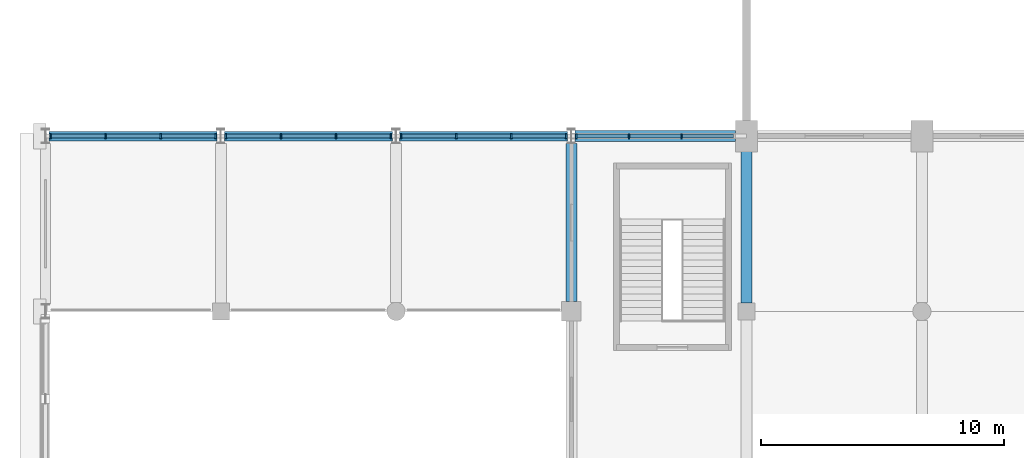
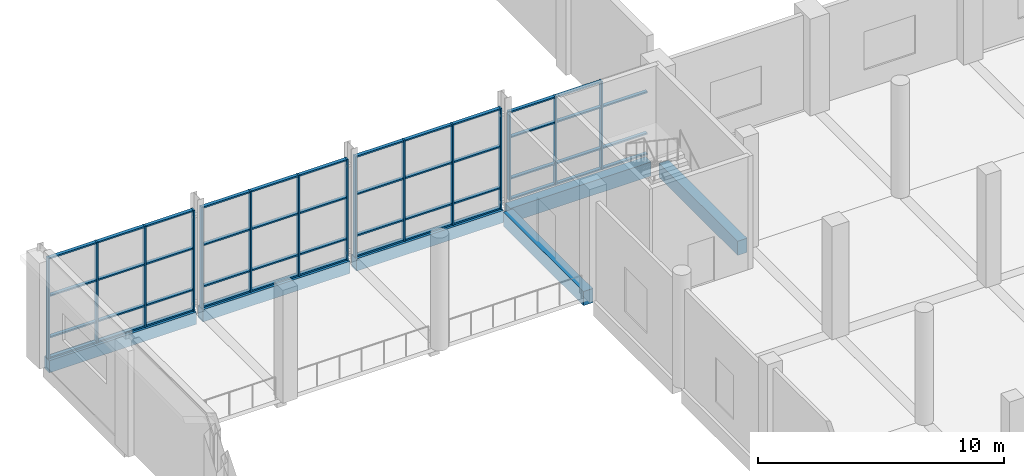
# One storey, part 21 of 80: 62 members, 6 beams, 4 elements without a shape of their own.
"""IFC4 building model written with IfcOpenShell, lengths in metres."""

from ifc_helpers import new_model, si_unit, direction, frame, origin, origin_2d, place, context, subcontext, project, spatial, rectangle, extrude, material, material_profile, profile_set, type_object, element, aggregate, save


model = new_model("IFC4")

# Units and contexts
model_context = context("Model", 3, precision=1e-05, world=origin(), true_north=direction((0.0, 1.0)))
body_context = subcontext(model_context, "Body", "Model", "MODEL_VIEW")
ifc_project = project(units=[si_unit("LENGTHUNIT", "METRE"), si_unit("AREAUNIT", "SQUARE_METRE"), si_unit("VOLUMEUNIT", "CUBIC_METRE"), si_unit("PLANEANGLEUNIT", "RADIAN"), si_unit("MASSUNIT", "GRAM", prefix="KILO")], contexts=[model_context])

# Site, building, storey
site_placement = place(None, origin())
site = spatial("IfcSite", under=ifc_project, at=site_placement, CompositionType="ELEMENT")
building_placement = place(site_placement, origin())
building = spatial("IfcBuilding", under=site, at=building_placement, Name="Sardonyx Promenade Sports Hall", CompositionType="ELEMENT")
storey_placement = place(building_placement, frame((0.0, 0.0, 5.60009765625)))
storey = spatial("IfcBuildingStorey", under=building, at=storey_placement, Name="L01", CompositionType="ELEMENT", Elevation=5.60009765625)

# Beams
ifc_material_1 = material(Name="Concrete C40/50", Category="concrete")
ifc_material_profile_1 = material_profile(ifc_material_1, rectangle(XDim=0.449951171875, YDim=0.699951171875, at=origin_2d()))
ifc_profile_set_1 = profile_set([ifc_material_profile_1], Name="Concrete C40/50")
beam_type_1 = type_object("IfcBeamType", Name="Bm_Primary_RC700", PredefinedType="BEAM", material=ifc_profile_set_1)
beam_1_placement = place(storey_placement, frame((21.75, 72.0, -0.35009765625), z_axis=(1.0, 0.0, 0.0), x_axis=(0.0, 1.0, 0.0)))
element("IfcBeam", 1, at=beam_1_placement, inside=storey, type_object=beam_type_1, Name="Beam BG01 L01 #266", PredefinedType="BEAM", context=body_context, shape_type="SweptSolid", body=[
    extrude(rectangle(XDim=0.449951171875, YDim=0.699951171875, at=origin_2d()), origin(), (0.0, 0.0, 1.0), 6.60009765625),
])
beam_2_placement = place(storey_placement, frame((21.60009765625, 65.199951171875, -0.35009765625), z_axis=(0.0, 1.0, 0.0), x_axis=(-1.0, 0.0, 0.0)))
element("IfcBeam", 2, at=beam_2_placement, inside=storey, type_object=beam_type_1, Name="Beam BG01 L01 #306", PredefinedType="BEAM", context=body_context, shape_type="SweptSolid", body=[
    extrude(rectangle(XDim=0.449951171875, YDim=0.699951171875, at=origin_2d()), origin(), (0.0, 0.0, 1.0), 6.505126953125),
])
beam_3_placement = place(storey_placement, frame((28.800048828125, 65.14990234375, -0.35009765625), z_axis=(0.0, 1.0, 0.0), x_axis=(-1.0, 0.0, 0.0)))
element("IfcBeam", 3, at=beam_3_placement, inside=storey, type_object=beam_type_1, Name="Beam BG01 L01 #316", PredefinedType="BEAM", context=body_context, shape_type="SweptSolid", body=[
    extrude(rectangle(XDim=0.449951171875, YDim=0.699951171875, at=origin_2d()), origin(), (0.0, 0.0, 1.0), 6.400146484375),
])
ifc_material_2 = material(Name="Concrete C40/50", Category="concrete")
ifc_material_profile_2 = material_profile(ifc_material_2, rectangle(XDim=0.39990234375, YDim=0.60009765625, at=origin_2d()))
ifc_profile_set_2 = profile_set([ifc_material_profile_2], Name="Concrete C40/50")
beam_type_2 = type_object("IfcBeamType", Name="Bm_Spandrel_RC600", PredefinedType="SPANDREL", material=ifc_profile_set_2)
beam_4_placement = place(storey_placement, frame((0.14990234375, 72.0, -0.300048828125), z_axis=(1.0, 0.0, 0.0), x_axis=(0.0, 1.0, 0.0)))
element("IfcBeam", 4, at=beam_4_placement, inside=storey, type_object=beam_type_2, Name="Beam SPB1 L01 #263", PredefinedType="SPANDREL", context=body_context, shape_type="SweptSolid", body=[
    extrude(rectangle(XDim=0.39990234375, YDim=0.60009765625, at=origin_2d()), origin(), (0.0, 0.0, 1.0), 6.900146484375),
])
for number, where, z_axis, x_axis, name in (
    (5, (7.35009765625, 72.0, -0.300048828125), (1.0, 0.0, 0.0), (0.0, 1.0, 0.0), "Beam SPB1 L01 #264"),
    (6, (14.550048828125, 72.0, -0.300048828125), (1.0, 0.0, 0.0), (0.0, 1.0, 0.0), "Beam SPB1 L01 #265"),
):
    element("IfcBeam", number, at=place(storey_placement, frame(where, z_axis=z_axis, x_axis=x_axis)), inside=storey, type_object=beam_type_2, Name=name, PredefinedType="SPANDREL", context=body_context, shape_type="SweptSolid", body=[
        extrude(rectangle(XDim=0.39990234375, YDim=0.60009765625, at=origin_2d()), origin(), (0.0, 0.0, 1.0), 6.89990234375),
    ])

# Curtain wall, members
ifc_material_3 = material(Name="Aluminium 6063-T6", Category="aluminium")
curtain_wall_type = type_object("IfcCurtainWallType", Name="CW_Climb_North_L01", PredefinedType="USERDEFINED", material=ifc_material_3)
curtain_wall_1_placement = place(storey_placement, origin())
curtain_wall_1 = element("IfcCurtainWall", 7, at=curtain_wall_1_placement, inside=storey, type_object=curtain_wall_type, Name="Curtain wall CW19 cw:L01:072", ObjectType="CURTAIN WALL", PredefinedType="USERDEFINED")
ifc_material_4 = material(Name="Aluminium 6063-T6", Category="aluminium")
ifc_material_profile_3 = material_profile(ifc_material_4, rectangle(XDim=0.070068359375, YDim=0.199951171875, at=origin_2d()))
ifc_profile_set_3 = profile_set([ifc_material_profile_3], Name="Aluminium 6063-T6")
member_type_1 = type_object("IfcMemberType", Name="CW_Mull_200", PredefinedType="MULLION", material=ifc_profile_set_3)
member_1_placement = place(storey_placement, frame((0.205078125, 72.0, 0.0), z_axis=(0.0, 0.0, 1.0), x_axis=(1.0, 0.0, 0.0)))
member_1 = element("IfcMember", 8, at=member_1_placement, type_object=member_type_1, Name="Mullion CM03 cw:L01:072 #1", PredefinedType="MULLION", context=body_context, shape_type="SweptSolid", body=[
    extrude(rectangle(XDim=0.070068359375, YDim=0.199951171875, at=origin_2d()), origin(), (0.0, 0.0, 1.0), 5.0),
])
member_2_placement = place(storey_placement, frame((2.46826171875, 72.0, 0.0), z_axis=(0.0, 0.0, 1.0), x_axis=(1.0, 0.0, 0.0)))
member_2 = element("IfcMember", 9, at=member_2_placement, type_object=member_type_1, Name="Mullion CM03 cw:L01:072 #2", PredefinedType="MULLION", context=body_context, shape_type="SweptSolid", body=[
    extrude(rectangle(XDim=0.070068359375, YDim=0.199951171875, at=origin_2d()), origin(), (0.0, 0.0, 1.0), 5.0),
])
member_3_placement = place(storey_placement, frame((4.731689453125, 72.0, 0.0), z_axis=(0.0, 0.0, 1.0), x_axis=(1.0, 0.0, 0.0)))
member_3 = element("IfcMember", 10, at=member_3_placement, type_object=member_type_1, Name="Mullion CM03 cw:L01:072 #3", PredefinedType="MULLION", context=body_context, shape_type="SweptSolid", body=[
    extrude(rectangle(XDim=0.070068359375, YDim=0.199951171875, at=origin_2d()), origin(), (0.0, 0.0, 1.0), 5.0),
])
member_4_placement = place(storey_placement, frame((6.9951171875, 72.0, 0.0), z_axis=(0.0, 0.0, 1.0), x_axis=(1.0, 0.0, 0.0)))
member_4 = element("IfcMember", 11, at=member_4_placement, type_object=member_type_1, Name="Mullion CM03 cw:L01:072 #4", PredefinedType="MULLION", context=body_context, shape_type="SweptSolid", body=[
    extrude(rectangle(XDim=0.070068359375, YDim=0.199951171875, at=origin_2d()), origin(), (0.0, 0.0, 1.0), 5.0),
])

curtain_wall_2_placement = place(storey_placement, origin())
curtain_wall_2 = element("IfcCurtainWall", 12, at=curtain_wall_2_placement, inside=storey, type_object=curtain_wall_type, Name="Curtain wall CW19 cw:L01:073", ObjectType="CURTAIN WALL", PredefinedType="USERDEFINED")
member_5_placement = place(storey_placement, frame((7.405029296875, 72.0, 0.0), z_axis=(0.0, 0.0, 1.0), x_axis=(1.0, 0.0, 0.0)))
member_5 = element("IfcMember", 13, at=member_5_placement, type_object=member_type_1, Name="Mullion CM03 cw:L01:073 #1", PredefinedType="MULLION", context=body_context, shape_type="SweptSolid", body=[
    extrude(rectangle(XDim=0.070068359375, YDim=0.199951171875, at=origin_2d()), origin(), (0.0, 0.0, 1.0), 5.0),
])
member_6_placement = place(storey_placement, frame((9.668212890625, 72.0, 0.0), z_axis=(0.0, 0.0, 1.0), x_axis=(1.0, 0.0, 0.0)))
member_6 = element("IfcMember", 14, at=member_6_placement, type_object=member_type_1, Name="Mullion CM03 cw:L01:073 #2", PredefinedType="MULLION", context=body_context, shape_type="SweptSolid", body=[
    extrude(rectangle(XDim=0.070068359375, YDim=0.199951171875, at=origin_2d()), origin(), (0.0, 0.0, 1.0), 5.0),
])
member_7_placement = place(storey_placement, frame((11.931640625, 72.0, 0.0), z_axis=(0.0, 0.0, 1.0), x_axis=(1.0, 0.0, 0.0)))
member_7 = element("IfcMember", 15, at=member_7_placement, type_object=member_type_1, Name="Mullion CM03 cw:L01:073 #3", PredefinedType="MULLION", context=body_context, shape_type="SweptSolid", body=[
    extrude(rectangle(XDim=0.070068359375, YDim=0.199951171875, at=origin_2d()), origin(), (0.0, 0.0, 1.0), 5.0),
])
member_8_placement = place(storey_placement, frame((14.195068359375, 72.0, 0.0), z_axis=(0.0, 0.0, 1.0), x_axis=(1.0, 0.0, 0.0)))
member_8 = element("IfcMember", 16, at=member_8_placement, type_object=member_type_1, Name="Mullion CM03 cw:L01:073 #4", PredefinedType="MULLION", context=body_context, shape_type="SweptSolid", body=[
    extrude(rectangle(XDim=0.070068359375, YDim=0.199951171875, at=origin_2d()), origin(), (0.0, 0.0, 1.0), 5.0),
])

curtain_wall_3_placement = place(storey_placement, origin())
curtain_wall_3 = element("IfcCurtainWall", 17, at=curtain_wall_3_placement, inside=storey, type_object=curtain_wall_type, Name="Curtain wall CW19 cw:L01:074", ObjectType="CURTAIN WALL", PredefinedType="USERDEFINED")
member_9_placement = place(storey_placement, frame((14.60498046875, 72.0, 0.0), z_axis=(0.0, 0.0, 1.0), x_axis=(1.0, 0.0, 0.0)))
member_9 = element("IfcMember", 18, at=member_9_placement, type_object=member_type_1, Name="Mullion CM03 cw:L01:074 #1", PredefinedType="MULLION", context=body_context, shape_type="SweptSolid", body=[
    extrude(rectangle(XDim=0.070068359375, YDim=0.199951171875, at=origin_2d()), origin(), (0.0, 0.0, 1.0), 5.0),
])
member_10_placement = place(storey_placement, frame((16.868408203125, 72.0, 0.0), z_axis=(0.0, 0.0, 1.0), x_axis=(1.0, 0.0, 0.0)))
member_10 = element("IfcMember", 19, at=member_10_placement, type_object=member_type_1, Name="Mullion CM03 cw:L01:074 #2", PredefinedType="MULLION", context=body_context, shape_type="SweptSolid", body=[
    extrude(rectangle(XDim=0.070068359375, YDim=0.199951171875, at=origin_2d()), origin(), (0.0, 0.0, 1.0), 5.0),
])
member_11_placement = place(storey_placement, frame((19.131591796875, 72.0, 0.0), z_axis=(0.0, 0.0, 1.0), x_axis=(1.0, 0.0, 0.0)))
member_11 = element("IfcMember", 20, at=member_11_placement, type_object=member_type_1, Name="Mullion CM03 cw:L01:074 #3", PredefinedType="MULLION", context=body_context, shape_type="SweptSolid", body=[
    extrude(rectangle(XDim=0.070068359375, YDim=0.199951171875, at=origin_2d()), origin(), (0.0, 0.0, 1.0), 5.0),
])
member_12_placement = place(storey_placement, frame((21.39501953125, 72.0, 0.0), z_axis=(0.0, 0.0, 1.0), x_axis=(1.0, 0.0, 0.0)))
member_12 = element("IfcMember", 21, at=member_12_placement, type_object=member_type_1, Name="Mullion CM03 cw:L01:074 #4", PredefinedType="MULLION", context=body_context, shape_type="SweptSolid", body=[
    extrude(rectangle(XDim=0.070068359375, YDim=0.199951171875, at=origin_2d()), origin(), (0.0, 0.0, 1.0), 5.0),
])

curtain_wall_4_placement = place(storey_placement, origin())
curtain_wall_4 = element("IfcCurtainWall", 22, at=curtain_wall_4_placement, inside=storey, type_object=curtain_wall_type, Name="Curtain wall CW19 cw:L01:075", ObjectType="CURTAIN WALL", PredefinedType="USERDEFINED")
member_13_placement = place(storey_placement, frame((21.804931640625, 72.0, 0.2998046875), z_axis=(0.0, 0.0, 1.0), x_axis=(1.0, 0.0, 0.0)))
member_13 = element("IfcMember", 23, at=member_13_placement, type_object=member_type_1, Name="Mullion CM03 cw:L01:075 #1", PredefinedType="MULLION", context=body_context, shape_type="SweptSolid", body=[
    extrude(rectangle(XDim=0.070068359375, YDim=0.199951171875, at=origin_2d()), origin(), (0.0, 0.0, 1.0), 4.385009765625),
])
member_14_placement = place(storey_placement, frame((23.96826171875, 72.0, 0.2998046875), z_axis=(0.0, 0.0, 1.0), x_axis=(1.0, 0.0, 0.0)))
member_14 = element("IfcMember", 24, at=member_14_placement, type_object=member_type_1, Name="Mullion CM03 cw:L01:075 #2", PredefinedType="MULLION", context=body_context, shape_type="SweptSolid", body=[
    extrude(rectangle(XDim=0.070068359375, YDim=0.199951171875, at=origin_2d()), origin(), (0.0, 0.0, 1.0), 4.385009765625),
])
member_15_placement = place(storey_placement, frame((26.131591796875, 72.0, 0.2998046875), z_axis=(0.0, 0.0, 1.0), x_axis=(1.0, 0.0, 0.0)))
member_15 = element("IfcMember", 25, at=member_15_placement, type_object=member_type_1, Name="Mullion CM03 cw:L01:075 #3", PredefinedType="MULLION", context=body_context, shape_type="SweptSolid", body=[
    extrude(rectangle(XDim=0.070068359375, YDim=0.199951171875, at=origin_2d()), origin(), (0.0, 0.0, 1.0), 4.385009765625),
])

# Member
ifc_material_5 = material(Name="Aluminium 6063-T6", Category="aluminium")
ifc_material_profile_4 = material_profile(ifc_material_5, rectangle(XDim=0.070068359375, YDim=0.159912109375, at=origin_2d()))
ifc_profile_set_4 = profile_set([ifc_material_profile_4], Name="Aluminium 6063-T6")
member_type_2 = type_object("IfcMemberType", Name="CW_Tran_160", PredefinedType="USERDEFINED", material=ifc_profile_set_4)
member_16_placement = place(storey_placement, frame((0.239990234375, 72.0, 0.034912109375), z_axis=(1.0, 0.0, 0.0), x_axis=(0.0, 0.0, 1.0)))
member_16 = element("IfcMember", 26, at=member_16_placement, type_object=member_type_2, Name="Transom CT03 cw:L01:072 #1", ObjectType="TRANSOM", PredefinedType="USERDEFINED", context=body_context, shape_type="SweptSolid", body=[
    extrude(rectangle(XDim=0.070068359375, YDim=0.159912109375, at=origin_2d()), origin(), (0.0, 0.0, 1.0), 2.193359375),
])

member_17_placement = place(storey_placement, frame((0.239990234375, 72.0, 1.0498046875), z_axis=(1.0, 0.0, 0.0), x_axis=(0.0, 0.0, 1.0)))
member_17 = element("IfcMember", 27, at=member_17_placement, type_object=member_type_2, Name="Transom CT03 cw:L01:072 #2", ObjectType="TRANSOM", PredefinedType="USERDEFINED", context=body_context, shape_type="SweptSolid", body=[
    extrude(rectangle(XDim=0.070068359375, YDim=0.159912109375, at=origin_2d()), origin(), (0.0, 0.0, 1.0), 2.193359375),
])

member_18_placement = place(storey_placement, frame((0.239990234375, 72.0, 3.099853515625), z_axis=(1.0, 0.0, 0.0), x_axis=(0.0, 0.0, 1.0)))
member_18 = element("IfcMember", 28, at=member_18_placement, type_object=member_type_2, Name="Transom CT03 cw:L01:072 #3", ObjectType="TRANSOM", PredefinedType="USERDEFINED", context=body_context, shape_type="SweptSolid", body=[
    extrude(rectangle(XDim=0.070068359375, YDim=0.159912109375, at=origin_2d()), origin(), (0.0, 0.0, 1.0), 2.193359375),
])

member_19_placement = place(storey_placement, frame((0.239990234375, 72.0, 4.96484375), z_axis=(1.0, 0.0, 0.0), x_axis=(0.0, 0.0, 1.0)))
member_19 = element("IfcMember", 29, at=member_19_placement, type_object=member_type_2, Name="Transom CT03 cw:L01:072 #4", ObjectType="TRANSOM", PredefinedType="USERDEFINED", context=body_context, shape_type="SweptSolid", body=[
    extrude(rectangle(XDim=0.070068359375, YDim=0.159912109375, at=origin_2d()), origin(), (0.0, 0.0, 1.0), 2.193359375),
])

member_20_placement = place(storey_placement, frame((2.50341796875, 72.0, 0.034912109375), z_axis=(1.0, 0.0, 0.0), x_axis=(0.0, 0.0, 1.0)))
member_20 = element("IfcMember", 30, at=member_20_placement, type_object=member_type_2, Name="Transom CT03 cw:L01:072 #5", ObjectType="TRANSOM", PredefinedType="USERDEFINED", context=body_context, shape_type="SweptSolid", body=[
    extrude(rectangle(XDim=0.070068359375, YDim=0.159912109375, at=origin_2d()), origin(), (0.0, 0.0, 1.0), 2.193359375),
])

member_21_placement = place(storey_placement, frame((2.50341796875, 72.0, 1.0498046875), z_axis=(1.0, 0.0, 0.0), x_axis=(0.0, 0.0, 1.0)))
member_21 = element("IfcMember", 31, at=member_21_placement, type_object=member_type_2, Name="Transom CT03 cw:L01:072 #6", ObjectType="TRANSOM", PredefinedType="USERDEFINED", context=body_context, shape_type="SweptSolid", body=[
    extrude(rectangle(XDim=0.070068359375, YDim=0.159912109375, at=origin_2d()), origin(), (0.0, 0.0, 1.0), 2.193359375),
])

member_22_placement = place(storey_placement, frame((2.50341796875, 72.0, 3.099853515625), z_axis=(1.0, 0.0, 0.0), x_axis=(0.0, 0.0, 1.0)))
member_22 = element("IfcMember", 32, at=member_22_placement, type_object=member_type_2, Name="Transom CT03 cw:L01:072 #7", ObjectType="TRANSOM", PredefinedType="USERDEFINED", context=body_context, shape_type="SweptSolid", body=[
    extrude(rectangle(XDim=0.070068359375, YDim=0.159912109375, at=origin_2d()), origin(), (0.0, 0.0, 1.0), 2.193359375),
])

member_23_placement = place(storey_placement, frame((2.50341796875, 72.0, 4.96484375), z_axis=(1.0, 0.0, 0.0), x_axis=(0.0, 0.0, 1.0)))
member_23 = element("IfcMember", 33, at=member_23_placement, type_object=member_type_2, Name="Transom CT03 cw:L01:072 #8", ObjectType="TRANSOM", PredefinedType="USERDEFINED", context=body_context, shape_type="SweptSolid", body=[
    extrude(rectangle(XDim=0.070068359375, YDim=0.159912109375, at=origin_2d()), origin(), (0.0, 0.0, 1.0), 2.193359375),
])

member_24_placement = place(storey_placement, frame((4.7666015625, 72.0, 0.034912109375), z_axis=(1.0, 0.0, 0.0), x_axis=(0.0, 0.0, 1.0)))
member_24 = element("IfcMember", 34, at=member_24_placement, type_object=member_type_2, Name="Transom CT03 cw:L01:072 #9", ObjectType="TRANSOM", PredefinedType="USERDEFINED", context=body_context, shape_type="SweptSolid", body=[
    extrude(rectangle(XDim=0.070068359375, YDim=0.159912109375, at=origin_2d()), origin(), (0.0, 0.0, 1.0), 2.193359375),
])

member_25_placement = place(storey_placement, frame((4.7666015625, 72.0, 1.0498046875), z_axis=(1.0, 0.0, 0.0), x_axis=(0.0, 0.0, 1.0)))
member_25 = element("IfcMember", 35, at=member_25_placement, type_object=member_type_2, Name="Transom CT03 cw:L01:072 #10", ObjectType="TRANSOM", PredefinedType="USERDEFINED", context=body_context, shape_type="SweptSolid", body=[
    extrude(rectangle(XDim=0.070068359375, YDim=0.159912109375, at=origin_2d()), origin(), (0.0, 0.0, 1.0), 2.193359375),
])

member_26_placement = place(storey_placement, frame((4.7666015625, 72.0, 3.099853515625), z_axis=(1.0, 0.0, 0.0), x_axis=(0.0, 0.0, 1.0)))
member_26 = element("IfcMember", 36, at=member_26_placement, type_object=member_type_2, Name="Transom CT03 cw:L01:072 #11", ObjectType="TRANSOM", PredefinedType="USERDEFINED", context=body_context, shape_type="SweptSolid", body=[
    extrude(rectangle(XDim=0.070068359375, YDim=0.159912109375, at=origin_2d()), origin(), (0.0, 0.0, 1.0), 2.193359375),
])

member_27_placement = place(storey_placement, frame((4.7666015625, 72.0, 4.96484375), z_axis=(1.0, 0.0, 0.0), x_axis=(0.0, 0.0, 1.0)))
member_27 = element("IfcMember", 37, at=member_27_placement, type_object=member_type_2, Name="Transom CT03 cw:L01:072 #12", ObjectType="TRANSOM", PredefinedType="USERDEFINED", context=body_context, shape_type="SweptSolid", body=[
    extrude(rectangle(XDim=0.070068359375, YDim=0.159912109375, at=origin_2d()), origin(), (0.0, 0.0, 1.0), 2.193359375),
])

aggregate(curtain_wall_1, [member_1, member_2, member_3, member_4, member_16, member_17, member_18, member_19, member_20, member_21, member_22, member_23, member_24, member_25, member_26, member_27])

member_28_placement = place(storey_placement, frame((7.43994140625, 72.0, 0.034912109375), z_axis=(1.0, 0.0, 0.0), x_axis=(0.0, 0.0, 1.0)))
member_28 = element("IfcMember", 38, at=member_28_placement, type_object=member_type_2, Name="Transom CT03 cw:L01:073 #1", ObjectType="TRANSOM", PredefinedType="USERDEFINED", context=body_context, shape_type="SweptSolid", body=[
    extrude(rectangle(XDim=0.070068359375, YDim=0.159912109375, at=origin_2d()), origin(), (0.0, 0.0, 1.0), 2.193359375),
])

member_29_placement = place(storey_placement, frame((7.43994140625, 72.0, 1.0498046875), z_axis=(1.0, 0.0, 0.0), x_axis=(0.0, 0.0, 1.0)))
member_29 = element("IfcMember", 39, at=member_29_placement, type_object=member_type_2, Name="Transom CT03 cw:L01:073 #2", ObjectType="TRANSOM", PredefinedType="USERDEFINED", context=body_context, shape_type="SweptSolid", body=[
    extrude(rectangle(XDim=0.070068359375, YDim=0.159912109375, at=origin_2d()), origin(), (0.0, 0.0, 1.0), 2.193359375),
])

member_30_placement = place(storey_placement, frame((7.43994140625, 72.0, 3.099853515625), z_axis=(1.0, 0.0, 0.0), x_axis=(0.0, 0.0, 1.0)))
member_30 = element("IfcMember", 40, at=member_30_placement, type_object=member_type_2, Name="Transom CT03 cw:L01:073 #3", ObjectType="TRANSOM", PredefinedType="USERDEFINED", context=body_context, shape_type="SweptSolid", body=[
    extrude(rectangle(XDim=0.070068359375, YDim=0.159912109375, at=origin_2d()), origin(), (0.0, 0.0, 1.0), 2.193359375),
])

member_31_placement = place(storey_placement, frame((7.43994140625, 72.0, 4.96484375), z_axis=(1.0, 0.0, 0.0), x_axis=(0.0, 0.0, 1.0)))
member_31 = element("IfcMember", 41, at=member_31_placement, type_object=member_type_2, Name="Transom CT03 cw:L01:073 #4", ObjectType="TRANSOM", PredefinedType="USERDEFINED", context=body_context, shape_type="SweptSolid", body=[
    extrude(rectangle(XDim=0.070068359375, YDim=0.159912109375, at=origin_2d()), origin(), (0.0, 0.0, 1.0), 2.193359375),
])

member_32_placement = place(storey_placement, frame((9.703369140625, 72.0, 0.034912109375), z_axis=(1.0, 0.0, 0.0), x_axis=(0.0, 0.0, 1.0)))
member_32 = element("IfcMember", 42, at=member_32_placement, type_object=member_type_2, Name="Transom CT03 cw:L01:073 #5", ObjectType="TRANSOM", PredefinedType="USERDEFINED", context=body_context, shape_type="SweptSolid", body=[
    extrude(rectangle(XDim=0.070068359375, YDim=0.159912109375, at=origin_2d()), origin(), (0.0, 0.0, 1.0), 2.193359375),
])

member_33_placement = place(storey_placement, frame((9.703369140625, 72.0, 1.0498046875), z_axis=(1.0, 0.0, 0.0), x_axis=(0.0, 0.0, 1.0)))
member_33 = element("IfcMember", 43, at=member_33_placement, type_object=member_type_2, Name="Transom CT03 cw:L01:073 #6", ObjectType="TRANSOM", PredefinedType="USERDEFINED", context=body_context, shape_type="SweptSolid", body=[
    extrude(rectangle(XDim=0.070068359375, YDim=0.159912109375, at=origin_2d()), origin(), (0.0, 0.0, 1.0), 2.193359375),
])

member_34_placement = place(storey_placement, frame((9.703369140625, 72.0, 3.099853515625), z_axis=(1.0, 0.0, 0.0), x_axis=(0.0, 0.0, 1.0)))
member_34 = element("IfcMember", 44, at=member_34_placement, type_object=member_type_2, Name="Transom CT03 cw:L01:073 #7", ObjectType="TRANSOM", PredefinedType="USERDEFINED", context=body_context, shape_type="SweptSolid", body=[
    extrude(rectangle(XDim=0.070068359375, YDim=0.159912109375, at=origin_2d()), origin(), (0.0, 0.0, 1.0), 2.193359375),
])

member_35_placement = place(storey_placement, frame((9.703369140625, 72.0, 4.96484375), z_axis=(1.0, 0.0, 0.0), x_axis=(0.0, 0.0, 1.0)))
member_35 = element("IfcMember", 45, at=member_35_placement, type_object=member_type_2, Name="Transom CT03 cw:L01:073 #8", ObjectType="TRANSOM", PredefinedType="USERDEFINED", context=body_context, shape_type="SweptSolid", body=[
    extrude(rectangle(XDim=0.070068359375, YDim=0.159912109375, at=origin_2d()), origin(), (0.0, 0.0, 1.0), 2.193359375),
])

member_36_placement = place(storey_placement, frame((11.966552734375, 72.0, 0.034912109375), z_axis=(1.0, 0.0, 0.0), x_axis=(0.0, 0.0, 1.0)))
member_36 = element("IfcMember", 46, at=member_36_placement, type_object=member_type_2, Name="Transom CT03 cw:L01:073 #9", ObjectType="TRANSOM", PredefinedType="USERDEFINED", context=body_context, shape_type="SweptSolid", body=[
    extrude(rectangle(XDim=0.070068359375, YDim=0.159912109375, at=origin_2d()), origin(), (0.0, 0.0, 1.0), 2.193359375),
])

member_37_placement = place(storey_placement, frame((11.966552734375, 72.0, 1.0498046875), z_axis=(1.0, 0.0, 0.0), x_axis=(0.0, 0.0, 1.0)))
member_37 = element("IfcMember", 47, at=member_37_placement, type_object=member_type_2, Name="Transom CT03 cw:L01:073 #10", ObjectType="TRANSOM", PredefinedType="USERDEFINED", context=body_context, shape_type="SweptSolid", body=[
    extrude(rectangle(XDim=0.070068359375, YDim=0.159912109375, at=origin_2d()), origin(), (0.0, 0.0, 1.0), 2.193359375),
])

member_38_placement = place(storey_placement, frame((11.966552734375, 72.0, 3.099853515625), z_axis=(1.0, 0.0, 0.0), x_axis=(0.0, 0.0, 1.0)))
member_38 = element("IfcMember", 48, at=member_38_placement, type_object=member_type_2, Name="Transom CT03 cw:L01:073 #11", ObjectType="TRANSOM", PredefinedType="USERDEFINED", context=body_context, shape_type="SweptSolid", body=[
    extrude(rectangle(XDim=0.070068359375, YDim=0.159912109375, at=origin_2d()), origin(), (0.0, 0.0, 1.0), 2.193359375),
])

member_39_placement = place(storey_placement, frame((11.966552734375, 72.0, 4.96484375), z_axis=(1.0, 0.0, 0.0), x_axis=(0.0, 0.0, 1.0)))
member_39 = element("IfcMember", 49, at=member_39_placement, type_object=member_type_2, Name="Transom CT03 cw:L01:073 #12", ObjectType="TRANSOM", PredefinedType="USERDEFINED", context=body_context, shape_type="SweptSolid", body=[
    extrude(rectangle(XDim=0.070068359375, YDim=0.159912109375, at=origin_2d()), origin(), (0.0, 0.0, 1.0), 2.193359375),
])

aggregate(curtain_wall_2, [member_5, member_6, member_7, member_8, member_28, member_29, member_30, member_31, member_32, member_33, member_34, member_35, member_36, member_37, member_38, member_39])

member_40_placement = place(storey_placement, frame((14.639892578125, 72.0, 0.034912109375), z_axis=(1.0, 0.0, 0.0), x_axis=(0.0, 0.0, 1.0)))
member_40 = element("IfcMember", 50, at=member_40_placement, type_object=member_type_2, Name="Transom CT03 cw:L01:074 #1", ObjectType="TRANSOM", PredefinedType="USERDEFINED", context=body_context, shape_type="SweptSolid", body=[
    extrude(rectangle(XDim=0.070068359375, YDim=0.159912109375, at=origin_2d()), origin(), (0.0, 0.0, 1.0), 2.193359375),
])

member_41_placement = place(storey_placement, frame((14.639892578125, 72.0, 1.0498046875), z_axis=(1.0, 0.0, 0.0), x_axis=(0.0, 0.0, 1.0)))
member_41 = element("IfcMember", 51, at=member_41_placement, type_object=member_type_2, Name="Transom CT03 cw:L01:074 #2", ObjectType="TRANSOM", PredefinedType="USERDEFINED", context=body_context, shape_type="SweptSolid", body=[
    extrude(rectangle(XDim=0.070068359375, YDim=0.159912109375, at=origin_2d()), origin(), (0.0, 0.0, 1.0), 2.193359375),
])

member_42_placement = place(storey_placement, frame((14.639892578125, 72.0, 3.099853515625), z_axis=(1.0, 0.0, 0.0), x_axis=(0.0, 0.0, 1.0)))
member_42 = element("IfcMember", 52, at=member_42_placement, type_object=member_type_2, Name="Transom CT03 cw:L01:074 #3", ObjectType="TRANSOM", PredefinedType="USERDEFINED", context=body_context, shape_type="SweptSolid", body=[
    extrude(rectangle(XDim=0.070068359375, YDim=0.159912109375, at=origin_2d()), origin(), (0.0, 0.0, 1.0), 2.193359375),
])

member_43_placement = place(storey_placement, frame((14.639892578125, 72.0, 4.96484375), z_axis=(1.0, 0.0, 0.0), x_axis=(0.0, 0.0, 1.0)))
member_43 = element("IfcMember", 53, at=member_43_placement, type_object=member_type_2, Name="Transom CT03 cw:L01:074 #4", ObjectType="TRANSOM", PredefinedType="USERDEFINED", context=body_context, shape_type="SweptSolid", body=[
    extrude(rectangle(XDim=0.070068359375, YDim=0.159912109375, at=origin_2d()), origin(), (0.0, 0.0, 1.0), 2.193359375),
])

member_44_placement = place(storey_placement, frame((16.9033203125, 72.0, 0.034912109375), z_axis=(1.0, 0.0, 0.0), x_axis=(0.0, 0.0, 1.0)))
member_44 = element("IfcMember", 54, at=member_44_placement, type_object=member_type_2, Name="Transom CT03 cw:L01:074 #5", ObjectType="TRANSOM", PredefinedType="USERDEFINED", context=body_context, shape_type="SweptSolid", body=[
    extrude(rectangle(XDim=0.070068359375, YDim=0.159912109375, at=origin_2d()), origin(), (0.0, 0.0, 1.0), 2.193359375),
])

member_45_placement = place(storey_placement, frame((16.9033203125, 72.0, 1.0498046875), z_axis=(1.0, 0.0, 0.0), x_axis=(0.0, 0.0, 1.0)))
member_45 = element("IfcMember", 55, at=member_45_placement, type_object=member_type_2, Name="Transom CT03 cw:L01:074 #6", ObjectType="TRANSOM", PredefinedType="USERDEFINED", context=body_context, shape_type="SweptSolid", body=[
    extrude(rectangle(XDim=0.070068359375, YDim=0.159912109375, at=origin_2d()), origin(), (0.0, 0.0, 1.0), 2.193359375),
])

member_46_placement = place(storey_placement, frame((16.9033203125, 72.0, 3.099853515625), z_axis=(1.0, 0.0, 0.0), x_axis=(0.0, 0.0, 1.0)))
member_46 = element("IfcMember", 56, at=member_46_placement, type_object=member_type_2, Name="Transom CT03 cw:L01:074 #7", ObjectType="TRANSOM", PredefinedType="USERDEFINED", context=body_context, shape_type="SweptSolid", body=[
    extrude(rectangle(XDim=0.070068359375, YDim=0.159912109375, at=origin_2d()), origin(), (0.0, 0.0, 1.0), 2.193359375),
])

member_47_placement = place(storey_placement, frame((16.9033203125, 72.0, 4.96484375), z_axis=(1.0, 0.0, 0.0), x_axis=(0.0, 0.0, 1.0)))
member_47 = element("IfcMember", 57, at=member_47_placement, type_object=member_type_2, Name="Transom CT03 cw:L01:074 #8", ObjectType="TRANSOM", PredefinedType="USERDEFINED", context=body_context, shape_type="SweptSolid", body=[
    extrude(rectangle(XDim=0.070068359375, YDim=0.159912109375, at=origin_2d()), origin(), (0.0, 0.0, 1.0), 2.193359375),
])

member_48_placement = place(storey_placement, frame((19.166748046875, 72.0, 0.034912109375), z_axis=(1.0, 0.0, 0.0), x_axis=(0.0, 0.0, 1.0)))
member_48 = element("IfcMember", 58, at=member_48_placement, type_object=member_type_2, Name="Transom CT03 cw:L01:074 #9", ObjectType="TRANSOM", PredefinedType="USERDEFINED", context=body_context, shape_type="SweptSolid", body=[
    extrude(rectangle(XDim=0.070068359375, YDim=0.159912109375, at=origin_2d()), origin(), (0.0, 0.0, 1.0), 2.193359375),
])

member_49_placement = place(storey_placement, frame((19.166748046875, 72.0, 1.0498046875), z_axis=(1.0, 0.0, 0.0), x_axis=(0.0, 0.0, 1.0)))
member_49 = element("IfcMember", 59, at=member_49_placement, type_object=member_type_2, Name="Transom CT03 cw:L01:074 #10", ObjectType="TRANSOM", PredefinedType="USERDEFINED", context=body_context, shape_type="SweptSolid", body=[
    extrude(rectangle(XDim=0.070068359375, YDim=0.159912109375, at=origin_2d()), origin(), (0.0, 0.0, 1.0), 2.193359375),
])

member_50_placement = place(storey_placement, frame((19.166748046875, 72.0, 3.099853515625), z_axis=(1.0, 0.0, 0.0), x_axis=(0.0, 0.0, 1.0)))
member_50 = element("IfcMember", 60, at=member_50_placement, type_object=member_type_2, Name="Transom CT03 cw:L01:074 #11", ObjectType="TRANSOM", PredefinedType="USERDEFINED", context=body_context, shape_type="SweptSolid", body=[
    extrude(rectangle(XDim=0.070068359375, YDim=0.159912109375, at=origin_2d()), origin(), (0.0, 0.0, 1.0), 2.193359375),
])

member_51_placement = place(storey_placement, frame((19.166748046875, 72.0, 4.96484375), z_axis=(1.0, 0.0, 0.0), x_axis=(0.0, 0.0, 1.0)))
member_51 = element("IfcMember", 61, at=member_51_placement, type_object=member_type_2, Name="Transom CT03 cw:L01:074 #12", ObjectType="TRANSOM", PredefinedType="USERDEFINED", context=body_context, shape_type="SweptSolid", body=[
    extrude(rectangle(XDim=0.070068359375, YDim=0.159912109375, at=origin_2d()), origin(), (0.0, 0.0, 1.0), 2.193359375),
])

aggregate(curtain_wall_3, [member_9, member_10, member_11, member_12, member_40, member_41, member_42, member_43, member_44, member_45, member_46, member_47, member_48, member_49, member_50, member_51])

member_52_placement = place(storey_placement, frame((21.840087890625, 72.0, 0.3349609375), z_axis=(1.0, 0.0, 0.0), x_axis=(0.0, 0.0, 1.0)))
member_52 = element("IfcMember", 62, at=member_52_placement, type_object=member_type_2, Name="Transom CT03 cw:L01:075 #1", ObjectType="TRANSOM", PredefinedType="USERDEFINED", context=body_context, shape_type="SweptSolid", body=[
    extrude(rectangle(XDim=0.070068359375, YDim=0.159912109375, at=origin_2d()), origin(), (0.0, 0.0, 1.0), 2.09326171875),
])

member_53_placement = place(storey_placement, frame((21.840087890625, 72.0, 1.349853515625), z_axis=(1.0, 0.0, 0.0), x_axis=(0.0, 0.0, 1.0)))
member_53 = element("IfcMember", 63, at=member_53_placement, type_object=member_type_2, Name="Transom CT03 cw:L01:075 #2", ObjectType="TRANSOM", PredefinedType="USERDEFINED", context=body_context, shape_type="SweptSolid", body=[
    extrude(rectangle(XDim=0.070068359375, YDim=0.159912109375, at=origin_2d()), origin(), (0.0, 0.0, 1.0), 2.09326171875),
])

member_54_placement = place(storey_placement, frame((21.840087890625, 72.0, 3.39990234375), z_axis=(1.0, 0.0, 0.0), x_axis=(0.0, 0.0, 1.0)))
member_54 = element("IfcMember", 64, at=member_54_placement, type_object=member_type_2, Name="Transom CT03 cw:L01:075 #3", ObjectType="TRANSOM", PredefinedType="USERDEFINED", context=body_context, shape_type="SweptSolid", body=[
    extrude(rectangle(XDim=0.070068359375, YDim=0.159912109375, at=origin_2d()), origin(), (0.0, 0.0, 1.0), 2.09326171875),
])

member_55_placement = place(storey_placement, frame((21.840087890625, 72.0, 4.64990234375), z_axis=(1.0, 0.0, 0.0), x_axis=(0.0, 0.0, 1.0)))
member_55 = element("IfcMember", 65, at=member_55_placement, type_object=member_type_2, Name="Transom CT03 cw:L01:075 #4", ObjectType="TRANSOM", PredefinedType="USERDEFINED", context=body_context, shape_type="SweptSolid", body=[
    extrude(rectangle(XDim=0.070068359375, YDim=0.159912109375, at=origin_2d()), origin(), (0.0, 0.0, 1.0), 2.09326171875),
])

member_56_placement = place(storey_placement, frame((24.00341796875, 72.0, 0.3349609375), z_axis=(1.0, 0.0, 0.0), x_axis=(0.0, 0.0, 1.0)))
member_56 = element("IfcMember", 66, at=member_56_placement, type_object=member_type_2, Name="Transom CT03 cw:L01:075 #5", ObjectType="TRANSOM", PredefinedType="USERDEFINED", context=body_context, shape_type="SweptSolid", body=[
    extrude(rectangle(XDim=0.070068359375, YDim=0.159912109375, at=origin_2d()), origin(), (0.0, 0.0, 1.0), 2.09326171875),
])

member_57_placement = place(storey_placement, frame((24.00341796875, 72.0, 1.349853515625), z_axis=(1.0, 0.0, 0.0), x_axis=(0.0, 0.0, 1.0)))
member_57 = element("IfcMember", 67, at=member_57_placement, type_object=member_type_2, Name="Transom CT03 cw:L01:075 #6", ObjectType="TRANSOM", PredefinedType="USERDEFINED", context=body_context, shape_type="SweptSolid", body=[
    extrude(rectangle(XDim=0.070068359375, YDim=0.159912109375, at=origin_2d()), origin(), (0.0, 0.0, 1.0), 2.09326171875),
])

member_58_placement = place(storey_placement, frame((24.00341796875, 72.0, 3.39990234375), z_axis=(1.0, 0.0, 0.0), x_axis=(0.0, 0.0, 1.0)))
member_58 = element("IfcMember", 68, at=member_58_placement, type_object=member_type_2, Name="Transom CT03 cw:L01:075 #7", ObjectType="TRANSOM", PredefinedType="USERDEFINED", context=body_context, shape_type="SweptSolid", body=[
    extrude(rectangle(XDim=0.070068359375, YDim=0.159912109375, at=origin_2d()), origin(), (0.0, 0.0, 1.0), 2.09326171875),
])

member_59_placement = place(storey_placement, frame((24.00341796875, 72.0, 4.64990234375), z_axis=(1.0, 0.0, 0.0), x_axis=(0.0, 0.0, 1.0)))
member_59 = element("IfcMember", 69, at=member_59_placement, type_object=member_type_2, Name="Transom CT03 cw:L01:075 #8", ObjectType="TRANSOM", PredefinedType="USERDEFINED", context=body_context, shape_type="SweptSolid", body=[
    extrude(rectangle(XDim=0.070068359375, YDim=0.159912109375, at=origin_2d()), origin(), (0.0, 0.0, 1.0), 2.09326171875),
])

member_60_placement = place(storey_placement, frame((26.166748046875, 72.0, 0.3349609375), z_axis=(1.0, 0.0, 0.0), x_axis=(0.0, 0.0, 1.0)))
member_60 = element("IfcMember", 70, at=member_60_placement, type_object=member_type_2, Name="Transom CT03 cw:L01:075 #9", ObjectType="TRANSOM", PredefinedType="USERDEFINED", context=body_context, shape_type="SweptSolid", body=[
    extrude(rectangle(XDim=0.070068359375, YDim=0.159912109375, at=origin_2d()), origin(), (0.0, 0.0, 1.0), 2.09326171875),
])

member_61_placement = place(storey_placement, frame((26.166748046875, 72.0, 1.349853515625), z_axis=(1.0, 0.0, 0.0), x_axis=(0.0, 0.0, 1.0)))
member_61 = element("IfcMember", 71, at=member_61_placement, type_object=member_type_2, Name="Transom CT03 cw:L01:075 #10", ObjectType="TRANSOM", PredefinedType="USERDEFINED", context=body_context, shape_type="SweptSolid", body=[
    extrude(rectangle(XDim=0.070068359375, YDim=0.159912109375, at=origin_2d()), origin(), (0.0, 0.0, 1.0), 2.09326171875),
])

member_62_placement = place(storey_placement, frame((26.166748046875, 72.0, 3.39990234375), z_axis=(1.0, 0.0, 0.0), x_axis=(0.0, 0.0, 1.0)))
member_62 = element("IfcMember", 72, at=member_62_placement, type_object=member_type_2, Name="Transom CT03 cw:L01:075 #11", ObjectType="TRANSOM", PredefinedType="USERDEFINED", context=body_context, shape_type="SweptSolid", body=[
    extrude(rectangle(XDim=0.070068359375, YDim=0.159912109375, at=origin_2d()), origin(), (0.0, 0.0, 1.0), 2.09326171875),
])

aggregate(curtain_wall_4, [member_13, member_14, member_15, member_52, member_53, member_54, member_55, member_56, member_57, member_58, member_59, member_60, member_61, member_62])

save(model, "model.ifc")
